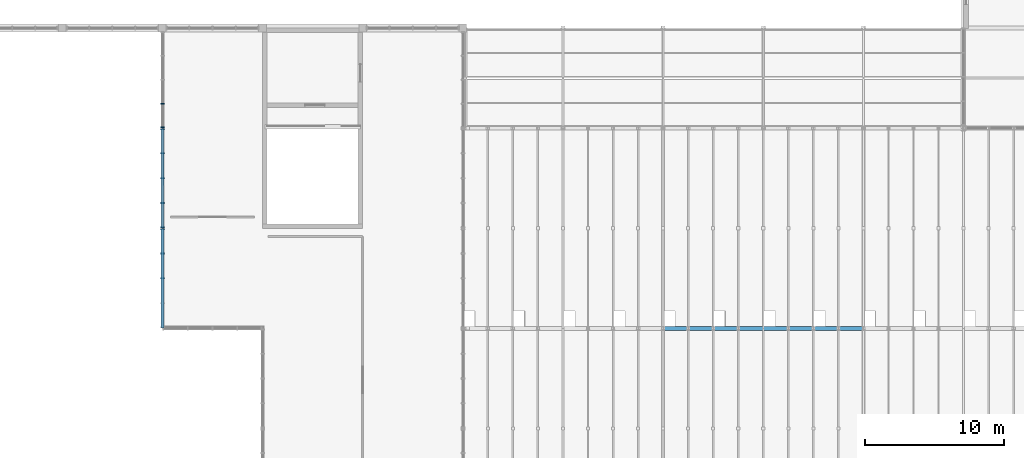
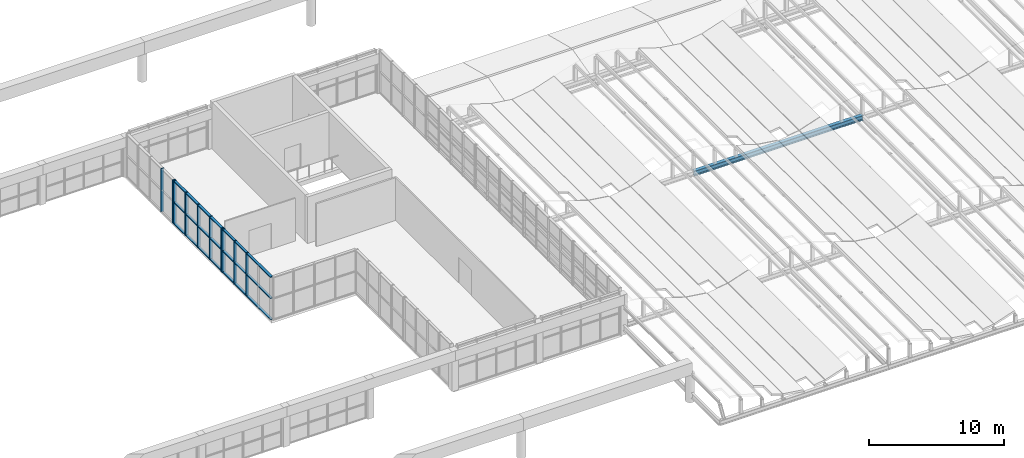
# One storey, part 16 of 83: 16 members, 1 beam, 3 elements without a shape of their own.
"""IFC4 building model written with IfcOpenShell, lengths in metres."""

from ifc_helpers import new_model, si_unit, direction, frame, origin, origin_2d, place, context, subcontext, project, spatial, rectangle, i_section, extrude, material, material_profile, profile_set, type_object, element, aggregate, save


model = new_model("IFC4")

# Units and contexts
model_context = context("Model", 3, precision=1e-05, world=origin(), true_north=direction((0.0, 1.0)))
body_context = subcontext(model_context, "Body", "Model", "MODEL_VIEW")
ifc_project = project(units=[si_unit("LENGTHUNIT", "METRE"), si_unit("AREAUNIT", "SQUARE_METRE"), si_unit("VOLUMEUNIT", "CUBIC_METRE"), si_unit("PLANEANGLEUNIT", "RADIAN"), si_unit("MASSUNIT", "GRAM", prefix="KILO")], contexts=[model_context])

# Site, building, storey
site_placement = place(None, origin())
site = spatial("IfcSite", under=ifc_project, at=site_placement, CompositionType="ELEMENT")
building_placement = place(site_placement, origin())
building = spatial("IfcBuilding", under=site, at=building_placement, Name="Leyfeld Transit Interchange", CompositionType="ELEMENT")
storey_placement = place(building_placement, frame((0.0, 0.0, 5.39990234375)))
storey = spatial("IfcBuildingStorey", under=building, at=storey_placement, Name="L01", CompositionType="ELEMENT", Elevation=5.39990234375)

# Beam
ifc_material_1 = material(Name="Steel S355J2", Category="steel")
ifc_material_profile_1 = material_profile(ifc_material_1, i_section(OverallWidth=0.300048828125, OverallDepth=0.449951171875, WebThickness=0.013916015625, FlangeThickness=0.02587890625, FilletRadius=0.027099609375, at=origin_2d()), Name="HEB 450")
ifc_profile_set_1 = profile_set([ifc_material_profile_1], Name="Steel S355J2")
beam_type = type_object("IfcBeamType", Name="BM-STL-HEB450", PredefinedType="JOIST", material=ifc_profile_set_1)
beam_placement = place(storey_placement, frame((115.199951171875, 28.800048828125, 0.675048828125), z_axis=(1.0, 0.0, 0.0), x_axis=(0.0, 1.0, 0.0)))
element("IfcBeam", 1, at=beam_placement, inside=storey, type_object=beam_type, Name="Bus Canopy Longitudinal Girder R3 B2", PredefinedType="JOIST", context=body_context, shape_type="SweptSolid", body=[
    extrude(i_section(OverallWidth=0.300048828125, OverallDepth=0.449951171875, WebThickness=0.013916015625, FlangeThickness=0.02587890625, FilletRadius=0.027099609375, at=origin_2d()), origin(), (0.0, 0.0, 1.0), 14.400146484375),
])

# Curtain wall, members
ifc_material_2 = material(Name="Anodised aluminium EN AW-6060 T66", Category="aluminium")
curtain_wall_type = type_object("IfcCurtainWallType", Name="CW-SYS-ARC-7200", PredefinedType="NOTDEFINED", material=ifc_material_2)
curtain_wall_1_placement = place(storey_placement, origin())
curtain_wall_1 = element("IfcCurtainWall", 2, at=curtain_wall_1_placement, inside=storey, type_object=curtain_wall_type, Name="Curtain Wall CW-L01-076", PredefinedType="NOTDEFINED")
ifc_material_profile_2 = material_profile(ifc_material_2, rectangle(XDim=0.0849609375, YDim=0.260009765625, at=origin_2d()), Name="CW-M 85x260")
ifc_profile_set_2 = profile_set([ifc_material_profile_2], Name="Anodised aluminium EN AW-6060 T66")
member_type_1 = type_object("IfcMemberType", Name="CW-MUL-220x80", PredefinedType="MULLION", material=ifc_profile_set_2)
member_1_placement = place(storey_placement, frame((79.199951171875, 32.39990234375, 0.0), z_axis=(0.0, 0.0, 1.0), x_axis=(0.0, 1.0, 0.0)))
member_1 = element("IfcMember", 3, at=member_1_placement, type_object=member_type_1, Name="Curtain Mullion CW-L01-076-M03", PredefinedType="MULLION", context=body_context, shape_type="SweptSolid", body=[
    extrude(rectangle(XDim=0.0849609375, YDim=0.260009765625, at=origin_2d()), origin(), (0.0, 0.0, 1.0), 3.900146484375),
])
member_2_placement = place(storey_placement, frame((79.199951171875, 34.18505859375, 0.0), z_axis=(0.0, 0.0, 1.0), x_axis=(0.0, 1.0, 0.0)))
member_2 = element("IfcMember", 4, at=member_2_placement, type_object=member_type_1, Name="Curtain Mullion CW-L01-076-M04", PredefinedType="MULLION", context=body_context, shape_type="SweptSolid", body=[
    extrude(rectangle(XDim=0.0849609375, YDim=0.260009765625, at=origin_2d()), origin(), (0.0, 0.0, 1.0), 3.900146484375),
])
member_3_placement = place(storey_placement, frame((79.199951171875, 35.927490234375, 0.0), z_axis=(0.0, 0.0, 1.0), x_axis=(0.0, 1.0, 0.0)))
member_3 = element("IfcMember", 5, at=member_3_placement, type_object=member_type_1, Name="Curtain Mullion CW-L01-076-M05", PredefinedType="MULLION", context=body_context, shape_type="SweptSolid", body=[
    extrude(rectangle(XDim=0.0849609375, YDim=0.260009765625, at=origin_2d()), origin(), (0.0, 0.0, 1.0), 3.900146484375),
])

curtain_wall_2_placement = place(storey_placement, origin())
curtain_wall_2 = element("IfcCurtainWall", 6, at=curtain_wall_2_placement, inside=storey, type_object=curtain_wall_type, Name="Curtain Wall CW-L01-077", PredefinedType="NOTDEFINED")
member_4_placement = place(storey_placement, frame((79.199951171875, 36.072509765625, 0.0), z_axis=(0.0, 0.0, 1.0), x_axis=(0.0, 1.0, 0.0)))
member_4 = element("IfcMember", 7, at=member_4_placement, type_object=member_type_1, Name="Curtain Mullion CW-L01-077-M01", PredefinedType="MULLION", context=body_context, shape_type="SweptSolid", body=[
    extrude(rectangle(XDim=0.0849609375, YDim=0.260009765625, at=origin_2d()), origin(), (0.0, 0.0, 1.0), 3.900146484375),
])
member_5_placement = place(storey_placement, frame((79.199951171875, 37.81494140625, 0.0), z_axis=(0.0, 0.0, 1.0), x_axis=(0.0, 1.0, 0.0)))
member_5 = element("IfcMember", 8, at=member_5_placement, type_object=member_type_1, Name="Curtain Mullion CW-L01-077-M02", PredefinedType="MULLION", context=body_context, shape_type="SweptSolid", body=[
    extrude(rectangle(XDim=0.0849609375, YDim=0.260009765625, at=origin_2d()), origin(), (0.0, 0.0, 1.0), 3.900146484375),
])
member_6_placement = place(storey_placement, frame((79.199951171875, 39.60009765625, 0.0), z_axis=(0.0, 0.0, 1.0), x_axis=(0.0, 1.0, 0.0)))
member_6 = element("IfcMember", 9, at=member_6_placement, type_object=member_type_1, Name="Curtain Mullion CW-L01-077-M03", PredefinedType="MULLION", context=body_context, shape_type="SweptSolid", body=[
    extrude(rectangle(XDim=0.0849609375, YDim=0.260009765625, at=origin_2d()), origin(), (0.0, 0.0, 1.0), 3.900146484375),
])
member_7_placement = place(storey_placement, frame((79.199951171875, 41.385009765625, 0.0), z_axis=(0.0, 0.0, 1.0), x_axis=(0.0, 1.0, 0.0)))
member_7 = element("IfcMember", 10, at=member_7_placement, type_object=member_type_1, Name="Curtain Mullion CW-L01-077-M04", PredefinedType="MULLION", context=body_context, shape_type="SweptSolid", body=[
    extrude(rectangle(XDim=0.0849609375, YDim=0.260009765625, at=origin_2d()), origin(), (0.0, 0.0, 1.0), 3.900146484375),
])
member_8_placement = place(storey_placement, frame((79.199951171875, 43.12744140625, 0.0), z_axis=(0.0, 0.0, 1.0), x_axis=(0.0, 1.0, 0.0)))
member_8 = element("IfcMember", 11, at=member_8_placement, type_object=member_type_1, Name="Curtain Mullion CW-L01-077-M05", PredefinedType="MULLION", context=body_context, shape_type="SweptSolid", body=[
    extrude(rectangle(XDim=0.0849609375, YDim=0.260009765625, at=origin_2d()), origin(), (0.0, 0.0, 1.0), 3.900146484375),
])

curtain_wall_3_placement = place(storey_placement, origin())
curtain_wall_3 = element("IfcCurtainWall", 12, at=curtain_wall_3_placement, inside=storey, type_object=curtain_wall_type, Name="Curtain Wall CW-L01-078", PredefinedType="NOTDEFINED")
member_9_placement = place(storey_placement, frame((79.199951171875, 43.2724609375, 0.0), z_axis=(0.0, 0.0, 1.0), x_axis=(0.0, 1.0, 0.0)))
member_9 = element("IfcMember", 13, at=member_9_placement, type_object=member_type_1, Name="Curtain Mullion CW-L01-078-M01", PredefinedType="MULLION", context=body_context, shape_type="SweptSolid", body=[
    extrude(rectangle(XDim=0.0849609375, YDim=0.260009765625, at=origin_2d()), origin(), (0.0, 0.0, 1.0), 3.900146484375),
])
member_10_placement = place(storey_placement, frame((79.199951171875, 44.956298828125, 0.0), z_axis=(0.0, 0.0, 1.0), x_axis=(0.0, 1.0, 0.0)))
member_10 = element("IfcMember", 14, at=member_10_placement, type_object=member_type_1, Name="Curtain Mullion CW-L01-078-M02", PredefinedType="MULLION", context=body_context, shape_type="SweptSolid", body=[
    extrude(rectangle(XDim=0.0849609375, YDim=0.260009765625, at=origin_2d()), origin(), (0.0, 0.0, 1.0), 3.900146484375),
])
aggregate(curtain_wall_3, [member_9, member_10])

# Member
ifc_material_profile_3 = material_profile(ifc_material_2, rectangle(XDim=0.2099609375, YDim=0.0849609375, at=origin_2d()), Name="CW-TRN-200x80")
ifc_profile_set_3 = profile_set([ifc_material_profile_3], Name="Anodised aluminium EN AW-6060 T66")
member_type_2 = type_object("IfcMemberType", Name="CW-TRN-200x80", PredefinedType="USERDEFINED", material=ifc_profile_set_3)
member_11_placement = place(storey_placement, frame((79.199951171875, 28.830078125, 0.04248046875), z_axis=(0.0, 1.0, 0.0), x_axis=(-1.0, 0.0, 0.0)))
member_11 = element("IfcMember", 15, at=member_11_placement, type_object=member_type_2, Name="Curtain Transom CW-L01-076-T01", ObjectType="TRANSOM", PredefinedType="USERDEFINED", context=body_context, shape_type="SweptSolid", body=[
    extrude(rectangle(XDim=0.2099609375, YDim=0.0849609375, at=origin_2d()), origin(), (0.0, 0.0, 1.0), 7.139892578125),
])

member_12_placement = place(storey_placement, frame((79.199951171875, 28.830078125, 1.9501953125), z_axis=(0.0, 1.0, 0.0), x_axis=(-1.0, 0.0, 0.0)))
member_12 = element("IfcMember", 16, at=member_12_placement, type_object=member_type_2, Name="Curtain Transom CW-L01-076-T02", ObjectType="TRANSOM", PredefinedType="USERDEFINED", context=body_context, shape_type="SweptSolid", body=[
    extrude(rectangle(XDim=0.2099609375, YDim=0.0849609375, at=origin_2d()), origin(), (0.0, 0.0, 1.0), 7.139892578125),
])

member_13_placement = place(storey_placement, frame((79.199951171875, 28.830078125, 3.857666015625), z_axis=(0.0, 1.0, 0.0), x_axis=(-1.0, 0.0, 0.0)))
member_13 = element("IfcMember", 17, at=member_13_placement, type_object=member_type_2, Name="Curtain Transom CW-L01-076-T03", ObjectType="TRANSOM", PredefinedType="USERDEFINED", context=body_context, shape_type="SweptSolid", body=[
    extrude(rectangle(XDim=0.2099609375, YDim=0.0849609375, at=origin_2d()), origin(), (0.0, 0.0, 1.0), 7.139892578125),
])

aggregate(curtain_wall_1, [member_1, member_2, member_3, member_11, member_12, member_13])

member_14_placement = place(storey_placement, frame((79.199951171875, 36.030029296875, 0.04248046875), z_axis=(0.0, 1.0, 0.0), x_axis=(-1.0, 0.0, 0.0)))
member_14 = element("IfcMember", 18, at=member_14_placement, type_object=member_type_2, Name="Curtain Transom CW-L01-077-T01", ObjectType="TRANSOM", PredefinedType="USERDEFINED", context=body_context, shape_type="SweptSolid", body=[
    extrude(rectangle(XDim=0.2099609375, YDim=0.0849609375, at=origin_2d()), origin(), (0.0, 0.0, 1.0), 7.139892578125),
])

member_15_placement = place(storey_placement, frame((79.199951171875, 36.030029296875, 1.9501953125), z_axis=(0.0, 1.0, 0.0), x_axis=(-1.0, 0.0, 0.0)))
member_15 = element("IfcMember", 19, at=member_15_placement, type_object=member_type_2, Name="Curtain Transom CW-L01-077-T02", ObjectType="TRANSOM", PredefinedType="USERDEFINED", context=body_context, shape_type="SweptSolid", body=[
    extrude(rectangle(XDim=0.2099609375, YDim=0.0849609375, at=origin_2d()), origin(), (0.0, 0.0, 1.0), 7.139892578125),
])

member_16_placement = place(storey_placement, frame((79.199951171875, 36.030029296875, 3.857666015625), z_axis=(0.0, 1.0, 0.0), x_axis=(-1.0, 0.0, 0.0)))
member_16 = element("IfcMember", 20, at=member_16_placement, type_object=member_type_2, Name="Curtain Transom CW-L01-077-T03", ObjectType="TRANSOM", PredefinedType="USERDEFINED", context=body_context, shape_type="SweptSolid", body=[
    extrude(rectangle(XDim=0.2099609375, YDim=0.0849609375, at=origin_2d()), origin(), (0.0, 0.0, 1.0), 7.139892578125),
])

aggregate(curtain_wall_2, [member_4, member_5, member_6, member_7, member_8, member_14, member_15, member_16])

save(model, "model.ifc")
